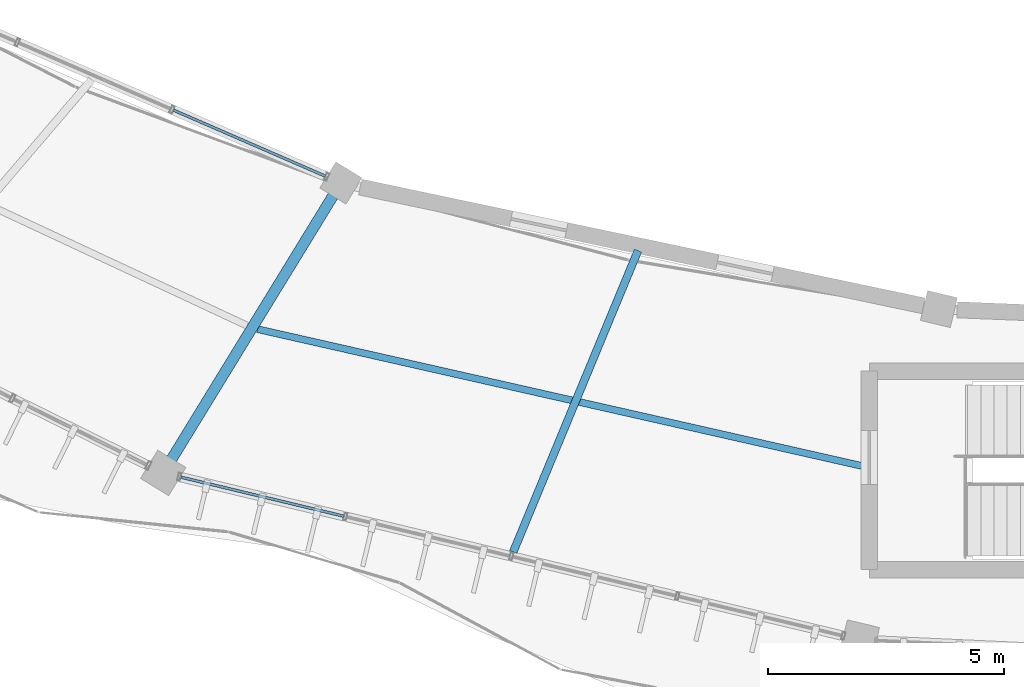
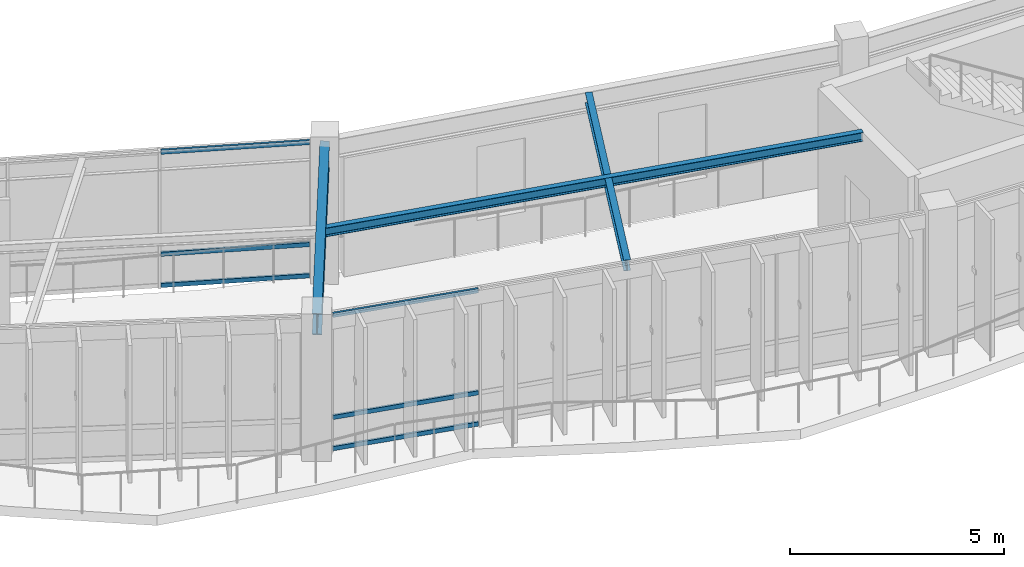
# One storey, part 48 of 138: 6 members, 3 beams, 2 elements without a shape of their own.
"""IFC4 building model written with IfcOpenShell, lengths in metres."""

from ifc_helpers import new_model, si_unit, direction, frame, origin, origin_2d, place, context, subcontext, project, spatial, hollow_rectangle, i_section, extrude, material, material_profile, profile_set, type_object, element, aggregate, save


model = new_model("IFC4")

# Units and contexts
model_context = context("Model", 3, precision=1e-05, world=origin(), true_north=direction((0.0, 1.0)))
body_context = subcontext(model_context, "Body", "Model", "MODEL_VIEW")
ifc_project = project(units=[si_unit("LENGTHUNIT", "METRE"), si_unit("AREAUNIT", "SQUARE_METRE"), si_unit("VOLUMEUNIT", "CUBIC_METRE"), si_unit("PLANEANGLEUNIT", "RADIAN"), si_unit("MASSUNIT", "GRAM", prefix="KILO"), si_unit("THERMODYNAMICTEMPERATUREUNIT", "KELVIN"), si_unit("POWERUNIT", "WATT")], contexts=[model_context])

# Site, building, storey
site_placement = place(None, origin())
site = spatial("IfcSite", under=ifc_project, at=site_placement, CompositionType="ELEMENT")
building_placement = place(site_placement, origin())
building = spatial("IfcBuilding", under=site, at=building_placement, Name="Darbajah Civic Hall", CompositionType="ELEMENT")
storey_placement = place(building_placement, frame((0.0, 0.0, 9.60009765625)))
storey = spatial("IfcBuildingStorey", under=building, at=storey_placement, Name="L02", CompositionType="ELEMENT", Elevation=9.60009765625)

# Curtain wall, members
ifc_material_1 = material(Name="Anodised Bronze Aluminium and Low-E Glazing", Category="aluminium")
curtain_wall_type_1 = type_object("IfcCurtainWallType", Name="Unitised Curtain Wall CW-19 10700x3900", PredefinedType="USERDEFINED", material=ifc_material_1)
curtain_wall_1_placement = place(storey_placement, origin())
curtain_wall_1 = element("IfcCurtainWall", 1, at=curtain_wall_1_placement, inside=storey, type_object=curtain_wall_type_1, Name="L02 unitised curtain wall CW-V1I-L02-12", ObjectType="UNITISED CURTAIN WALL", PredefinedType="USERDEFINED")
ifc_material_2 = material(Name="Anodised Bronze Aluminium", Category="aluminium")
ifc_material_profile_1 = material_profile(ifc_material_2, hollow_rectangle(XDim=0.06005859375, YDim=0.1201171875, WallThickness=0.003173828125, at=origin_2d()), Name="ALU TRANSOM 60x120")
ifc_profile_set_1 = profile_set([ifc_material_profile_1], Name="Anodised Bronze Aluminium")
member_type = type_object("IfcMemberType", Name="ALU TRANSOM 60x120", PredefinedType="USERDEFINED", material=ifc_profile_set_1)
member_1_placement = place(storey_placement, frame((62.67333984375, 72.325927734375, 0.059814453125), z_axis=(0.917050090793, -0.39877202883, 0.0), x_axis=(0.39877202883, 0.917050090793, 0.0)))
member_1 = element("IfcMember", 2, at=member_1_placement, type_object=member_type, Name="CW-V1I-L02-12 transom 3.1", ObjectType="TRANSOM", PredefinedType="USERDEFINED", context=body_context, shape_type="SweptSolid", body=[
    extrude(hollow_rectangle(XDim=0.06005859375, YDim=0.1201171875, WallThickness=0.003173828125, at=origin_2d()), origin(), (0.0, 0.0, 1.0), 3.49951171875),
])
member_2_placement = place(storey_placement, frame((62.67333984375, 72.325927734375, 0.949951171875), z_axis=(0.917050090793, -0.39877202883, 0.0), x_axis=(0.39877202883, 0.917050090793, 0.0)))
member_2 = element("IfcMember", 3, at=member_2_placement, type_object=member_type, Name="CW-V1I-L02-12 transom 3.2", ObjectType="TRANSOM", PredefinedType="USERDEFINED", context=body_context, shape_type="SweptSolid", body=[
    extrude(hollow_rectangle(XDim=0.06005859375, YDim=0.1201171875, WallThickness=0.003173828125, at=origin_2d()), origin(), (0.0, 0.0, 1.0), 3.49951171875),
])
member_3_placement = place(storey_placement, frame((62.67333984375, 72.325927734375, 3.85986328125), z_axis=(0.917050090793, -0.39877202883, 0.0), x_axis=(0.39877202883, 0.917050090793, 0.0)))
member_3 = element("IfcMember", 4, at=member_3_placement, type_object=member_type, Name="CW-V1I-L02-12 transom 3.3", ObjectType="TRANSOM", PredefinedType="USERDEFINED", context=body_context, shape_type="SweptSolid", body=[
    extrude(hollow_rectangle(XDim=0.06005859375, YDim=0.1201171875, WallThickness=0.003173828125, at=origin_2d()), origin(), (0.0, 0.0, 1.0), 3.49951171875),
])
aggregate(curtain_wall_1, [member_1, member_2, member_3])

curtain_wall_type_2 = type_object("IfcCurtainWallType", Name="Unitised Curtain Wall CW-48 14500x3900", PredefinedType="USERDEFINED", material=ifc_material_1)
curtain_wall_2_placement = place(storey_placement, origin())
curtain_wall_2 = element("IfcCurtainWall", 5, at=curtain_wall_2_placement, inside=storey, type_object=curtain_wall_type_2, Name="L02 unitised curtain wall CW-V1O-L02-13", ObjectType="UNITISED CURTAIN WALL", PredefinedType="USERDEFINED")
member_4_placement = place(storey_placement, frame((62.828857421875, 64.556884765625, 0.059814453125), z_axis=(0.972478527618, -0.232992517739, 0.0), x_axis=(0.232992517739, 0.972478527618, 0.0)))
member_4 = element("IfcMember", 6, at=member_4_placement, type_object=member_type, Name="CW-V1O-L02-13 transom 1.1", ObjectType="TRANSOM", PredefinedType="USERDEFINED", context=body_context, shape_type="SweptSolid", body=[
    extrude(hollow_rectangle(XDim=0.06005859375, YDim=0.1201171875, WallThickness=0.003173828125, at=origin_2d()), origin(), (0.0, 0.0, 1.0), 3.543701171875),
])
member_5_placement = place(storey_placement, frame((62.828857421875, 64.556884765625, 0.949951171875), z_axis=(0.972478527618, -0.232992517739, 0.0), x_axis=(0.232992517739, 0.972478527618, 0.0)))
member_5 = element("IfcMember", 7, at=member_5_placement, type_object=member_type, Name="CW-V1O-L02-13 transom 1.2", ObjectType="TRANSOM", PredefinedType="USERDEFINED", context=body_context, shape_type="SweptSolid", body=[
    extrude(hollow_rectangle(XDim=0.06005859375, YDim=0.1201171875, WallThickness=0.003173828125, at=origin_2d()), origin(), (0.0, 0.0, 1.0), 3.543701171875),
])
member_6_placement = place(storey_placement, frame((62.828857421875, 64.556884765625, 3.85986328125), z_axis=(0.972478527618, -0.232992517739, 0.0), x_axis=(0.232992517739, 0.972478527618, 0.0)))
member_6 = element("IfcMember", 8, at=member_6_placement, type_object=member_type, Name="CW-V1O-L02-13 transom 1.3", ObjectType="TRANSOM", PredefinedType="USERDEFINED", context=body_context, shape_type="SweptSolid", body=[
    extrude(hollow_rectangle(XDim=0.06005859375, YDim=0.1201171875, WallThickness=0.003173828125, at=origin_2d()), origin(), (0.0, 0.0, 1.0), 3.543701171875),
])
aggregate(curtain_wall_2, [member_4, member_5, member_6])

# Beams
ifc_material_3 = material(Name="Steel S355JR", Category="steel")
ifc_material_profile_2 = material_profile(ifc_material_3, i_section(OverallWidth=0.146484375, OverallDepth=0.256103515625, WebThickness=0.00634765625, FlangeThickness=0.010986328125, FilletRadius=0.007568359375, at=origin_2d()), Name="UB 254x146x37")
ifc_profile_set_2 = profile_set([ifc_material_profile_2], Name="Steel S355JR")
beam_type_1 = type_object("IfcBeamType", Name="UB 254x146x37", PredefinedType="JOIST", material=ifc_profile_set_2)
beam_1_placement = place(storey_placement, frame((64.44677734375, 67.69091796875, 3.7919921875), z_axis=(0.975333080849, -0.220738264473, 0.0), x_axis=(0.220738264473, 0.975333080849, 0.0)))
element("IfcBeam", 9, at=beam_1_placement, inside=storey, type_object=beam_type_1, Name="L02 beam SJ-254", PredefinedType="JOIST", context=body_context, shape_type="SweptSolid", body=[
    extrude(i_section(OverallWidth=0.146484375, OverallDepth=0.256103515625, WebThickness=0.00634765625, FlangeThickness=0.010986328125, FilletRadius=0.007568359375, at=origin_2d()), origin(), (0.0, 0.0, 1.0), 13.13720703125),
])
ifc_material_profile_3 = material_profile(ifc_material_3, i_section(OverallWidth=0.165771484375, OverallDepth=0.306640625, WebThickness=0.006591796875, FlangeThickness=0.01171875, FilletRadius=0.0087890625, at=origin_2d()), Name="UB 305x165x46")
ifc_profile_set_3 = profile_set([ifc_material_profile_3], Name="Steel S355JR")
beam_type_2 = type_object("IfcBeamType", Name="UB 305x165x46", PredefinedType="JOIST", material=ifc_profile_set_3)
beam_2_placement = place(storey_placement, frame((72.50439453125, 69.353271484375, 3.7666015625), z_axis=(-0.382685995053, -0.923878471007, 0.0), x_axis=(0.923878471007, -0.382685995053, 0.0)))
element("IfcBeam", 10, at=beam_2_placement, inside=storey, type_object=beam_type_2, Name="L02 beam SJ-305", PredefinedType="JOIST", context=body_context, shape_type="SweptSolid", body=[
    extrude(i_section(OverallWidth=0.165771484375, OverallDepth=0.306640625, WebThickness=0.006591796875, FlangeThickness=0.01171875, FilletRadius=0.0087890625, at=origin_2d()), origin(), (0.0, 0.0, 1.0), 6.9033203125),
])
ifc_material_profile_4 = material_profile(ifc_material_3, i_section(OverallWidth=0.228271484375, OverallDepth=0.607666015625, WebThickness=0.010986328125, FlangeThickness=0.017333984375, FilletRadius=0.0126953125, at=origin_2d()), Name="UB 610x229x113")
ifc_profile_set_4 = profile_set([ifc_material_profile_4], Name="Steel S355JR")
beam_type_3 = type_object("IfcBeamType", Name="UB 610x229x113", PredefinedType="BEAM", material=ifc_profile_set_4)
beam_3_placement = place(storey_placement, frame((66.1728515625, 70.718017578125, 3.6162109375), z_axis=(-0.522500254411, -0.852639128905, 0.0), x_axis=(0.852639128905, -0.522500254411, 0.0)))
element("IfcBeam", 11, at=beam_3_placement, inside=storey, type_object=beam_type_3, Name="L02 beam SB-610", PredefinedType="BEAM", context=body_context, shape_type="SweptSolid", body=[
    extrude(i_section(OverallWidth=0.228271484375, OverallDepth=0.607666015625, WebThickness=0.010986328125, FlangeThickness=0.017333984375, FilletRadius=0.0126953125, at=origin_2d()), origin(), (0.0, 0.0, 1.0), 7.0400390625),
])

save(model, "model.ifc")
